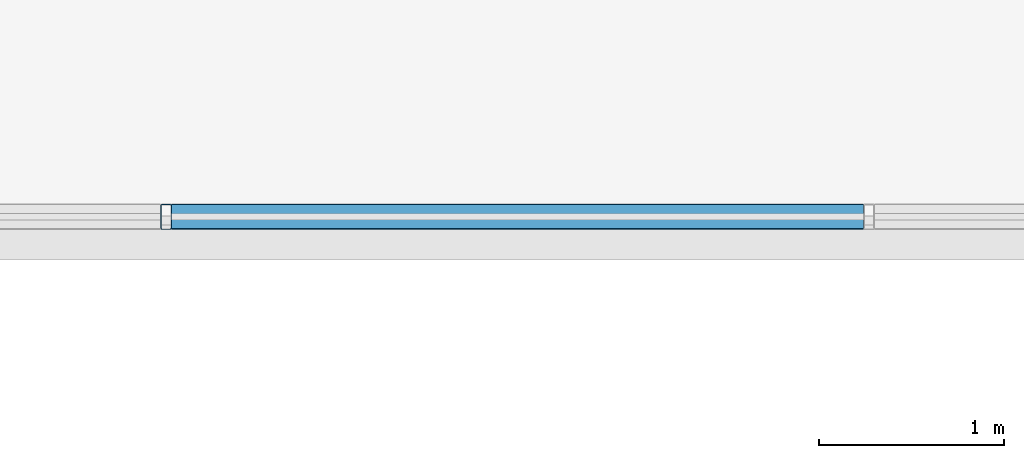
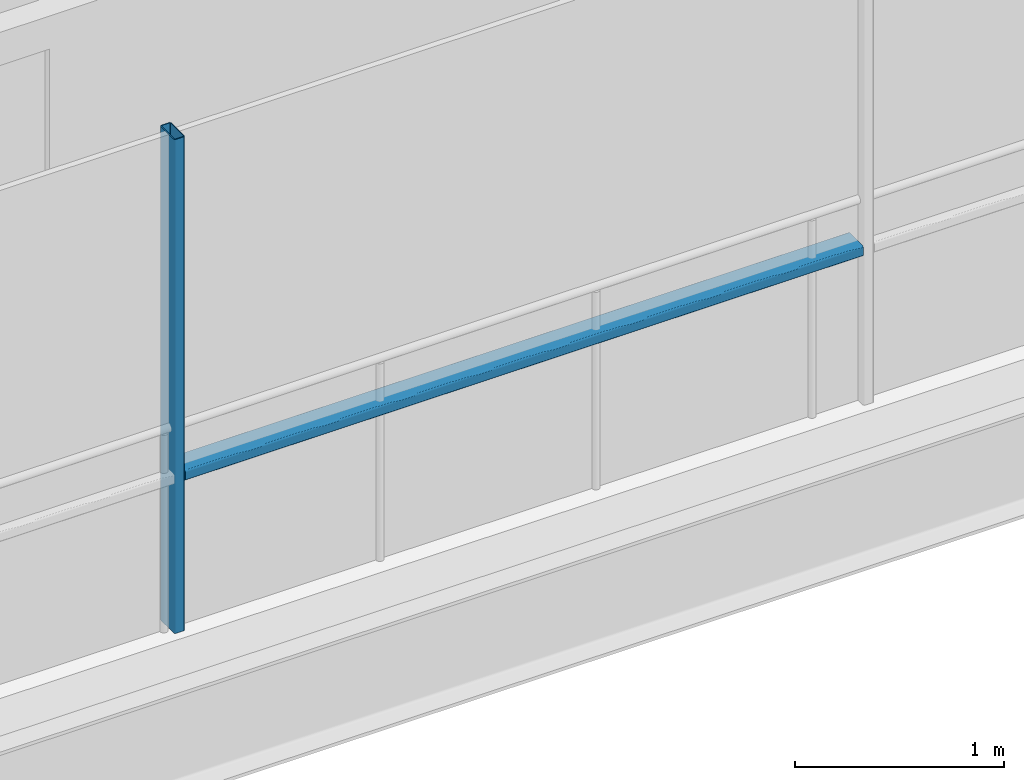
# One storey, part 13 of 41: 2 members, 1 element without a shape of its own.
"""IFC4 building model written with IfcOpenShell, lengths in metres."""

from ifc_helpers import new_model, si_unit, direction, frame, origin, origin_2d, place, context, subcontext, project, spatial, hollow_rectangle, extrude, material, layer, layer_set, material_profile, profile_set, type_object, element, aggregate, save


model = new_model("IFC4")

# Units and contexts
model_context = context("Model", 3, precision=1e-05, world=origin(), true_north=direction((0.0, 1.0)))
body_context = subcontext(model_context, "Body", "Model", "MODEL_VIEW")
ifc_project = project(units=[si_unit("LENGTHUNIT", "METRE"), si_unit("AREAUNIT", "SQUARE_METRE"), si_unit("VOLUMEUNIT", "CUBIC_METRE"), si_unit("PLANEANGLEUNIT", "RADIAN"), si_unit("MASSUNIT", "GRAM", prefix="KILO")], contexts=[model_context])

# Site, building, storey
site_placement = place(None, origin())
site = spatial("IfcSite", under=ifc_project, at=site_placement, CompositionType="ELEMENT")
building_placement = place(site_placement, origin())
building = spatial("IfcBuilding", under=site, at=building_placement, Name="Brevholm Reach", CompositionType="ELEMENT")
storey_placement = place(building_placement, frame((0.0, 0.0, 138.699951171875)))
storey = spatial("IfcBuildingStorey", under=building, at=storey_placement, Name="L41", CompositionType="ELEMENT", Elevation=138.699951171875)

# Curtain wall, members
ifc_material_1 = material(Name="Dark Anodised Aluminium 6063-T6 and Solar-Control Glass", Category="aluminium")
ifc_layer = layer(ifc_material_1, 0.139892578125)
ifc_layer_set = layer_set([ifc_layer], Name="Dark Anodised Aluminium 6063-T6 and Solar-Control Glass")
curtain_wall_type = type_object("IfcCurtainWallType", Name="CW-02", PredefinedType="NOTDEFINED", material=ifc_layer_set)
curtain_wall_placement = place(storey_placement, origin())
curtain_wall = element("IfcCurtainWall", 1, at=curtain_wall_placement, inside=storey, type_object=curtain_wall_type, Name="L41 Curtain Wall CW-02", PredefinedType="NOTDEFINED")
ifc_material_2 = material(Name="Dark Anodised Aluminium 6063-T6", Category="aluminium")
ifc_material_profile_1 = material_profile(ifc_material_2, hollow_rectangle(XDim=0.06005859375, YDim=0.139892578125, WallThickness=0.0048828125, InnerFilletRadius=0.0048828125, OuterFilletRadius=0.010009765625, at=origin_2d()), Name="RHS 140x60x5")
ifc_profile_set_1 = profile_set([ifc_material_profile_1], Name="Dark Anodised Aluminium 6063-T6")
member_type_1 = type_object("IfcMemberType", Name="CWM-140", PredefinedType="MULLION", material=ifc_profile_set_1)
member_1_placement = place(storey_placement, frame((30.050048828125, 26.6201171875, 0.0), z_axis=(0.0, 0.0, 1.0), x_axis=(-1.0, 0.0, 0.0)))
member_1 = element("IfcMember", 2, at=member_1_placement, type_object=member_type_1, Name="CM-140 Mullion 3", PredefinedType="MULLION", context=body_context, shape_type="SweptSolid", body=[
    extrude(hollow_rectangle(XDim=0.06005859375, YDim=0.139892578125, WallThickness=0.0048828125, InnerFilletRadius=0.0048828125, OuterFilletRadius=0.010009765625, at=origin_2d()), origin(), (0.0, 0.0, 1.0), 2.880126953125),
])
ifc_material_3 = material(Name="Dark Anodised Aluminium 6063-T6", Category="aluminium")
ifc_material_profile_2 = material_profile(ifc_material_3, hollow_rectangle(XDim=0.06005859375, YDim=0.139892578125, WallThickness=0.0048828125, InnerFilletRadius=0.0048828125, OuterFilletRadius=0.010009765625, at=origin_2d()), Name="RHS 140x60x5")
ifc_profile_set_2 = profile_set([ifc_material_profile_2], Name="Dark Anodised Aluminium 6063-T6")
member_type_2 = type_object("IfcMemberType", Name="CWT-140", PredefinedType="NOTDEFINED", material=ifc_profile_set_2)
member_2_placement = place(storey_placement, frame((33.820068359375, 26.6201171875, 0.900146484375), z_axis=(-1.0, 0.0, 0.0), x_axis=(0.0, 0.0, 1.0)))
member_2 = element("IfcMember", 3, at=member_2_placement, type_object=member_type_2, Name="CT-140 Transom 2.1", ObjectType="TRANSOM", PredefinedType="USERDEFINED", context=body_context, shape_type="SweptSolid", body=[
    extrude(hollow_rectangle(XDim=0.06005859375, YDim=0.139892578125, WallThickness=0.0048828125, InnerFilletRadius=0.0048828125, OuterFilletRadius=0.010009765625, at=origin_2d()), origin(), (0.0, 0.0, 1.0), 3.739990234375),
])
aggregate(curtain_wall, [member_1, member_2])

save(model, "model.ifc")
